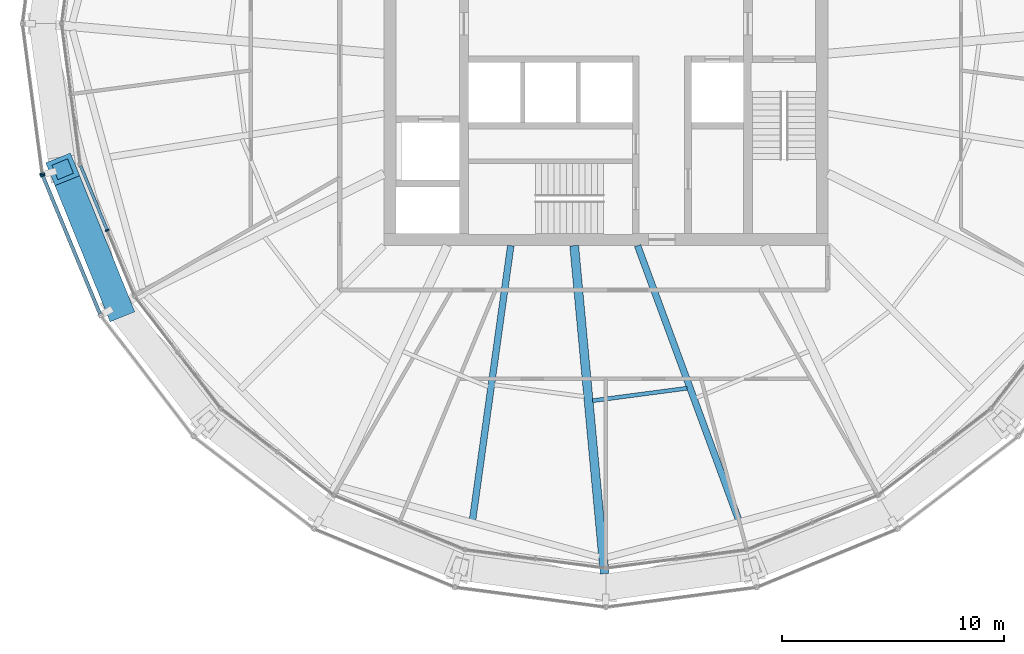
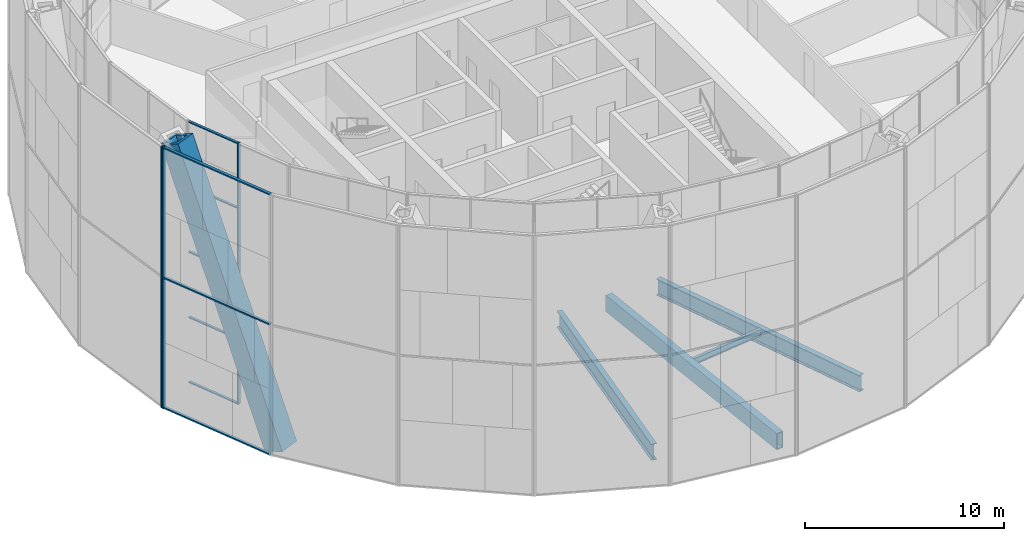
# One storey, part 3 of 29: 12 members, 4 beams, 3 elements without a shape of their own.
"""IFC4 building model written with IfcOpenShell, lengths in metres."""

from ifc_helpers import new_model, si_unit, direction, frame, origin, origin_2d, place, context, subcontext, project, spatial, rectangle, hollow_rectangle, i_section, extrude, material, material_profile, profile_set, type_object, element, aggregate, save


model = new_model("IFC4")

# Units and contexts
model_context = context("Model", 3, precision=1e-05, world=origin(), true_north=direction((0.0, 1.0)))
body_context = subcontext(model_context, "Body", "Model", "MODEL_VIEW")
ifc_project = project(units=[si_unit("LENGTHUNIT", "METRE"), si_unit("AREAUNIT", "SQUARE_METRE"), si_unit("VOLUMEUNIT", "CUBIC_METRE"), si_unit("PLANEANGLEUNIT", "RADIAN"), si_unit("MASSUNIT", "GRAM", prefix="KILO")], contexts=[model_context])

# Site, building, storey
site_placement = place(None, origin())
site = spatial("IfcSite", under=ifc_project, at=site_placement, CompositionType="ELEMENT")
building_placement = place(site_placement, origin())
building = spatial("IfcBuilding", under=site, at=building_placement, Name="Golbaran Civic Tower", CompositionType="ELEMENT")
storey_placement = place(building_placement, frame((0.0, 0.0, 118.0)))
storey = spatial("IfcBuildingStorey", under=building, at=storey_placement, Name="L28", CompositionType="ELEMENT", Elevation=118.0)

# Member
ifc_material_1 = material(Name="Steel S355", Category="steel")
ifc_material_profile_1 = material_profile(ifc_material_1, hollow_rectangle(XDim=1.199951171875, YDim=1.199951171875, WallThickness=0.219970703125, at=origin_2d()), Name="BOX 1200x1200x220")
ifc_profile_set_1 = profile_set([ifc_material_profile_1], Name="Steel S355")
member_type_1 = type_object("IfcMemberType", Name="DIAGRID DIAGONAL BOX 1200x1200x220", PredefinedType="BRACE", material=ifc_profile_set_1)
member_1_placement = place(storey_placement, frame((-21.990966796875, -12.696533203125, -0.7099609375), z_axis=(-0.143541229562, 0.3544612565, 0.92398762603), x_axis=(-0.926884217271, -0.375347369478, 0.0)))
element("IfcMember", 1, at=member_1_placement, inside=storey, type_object=member_type_1, Name="Diagonal D06-07L L28-L32", PredefinedType="BRACE", context=body_context, shape_type="SweptSolid", body=[
    extrude(hollow_rectangle(XDim=1.199951171875, YDim=1.199951171875, WallThickness=0.219970703125, at=origin_2d()), origin(), (0.0, 0.0, 1.0), 17.316162109375),
])

# Beam
ifc_material_profile_2 = material_profile(ifc_material_1, i_section(OverallWidth=0.179931640625, OverallDepth=0.39990234375, WebThickness=0.008544921875, FlangeThickness=0.013427734375, FilletRadius=0.02099609375, at=origin_2d()), Name="IPE 400")
ifc_profile_set_2 = profile_set([ifc_material_profile_2], Name="Steel S355")
beam_type_1 = type_object("IfcBeamType", Name="FLOOR INFILL BEAM IPE 400", PredefinedType="BEAM", material=ifc_profile_set_2)
beam_1_placement = place(storey_placement, frame((-0.599365234375, -16.98779296875, -0.39990234375), z_axis=(0.991450424736, 0.130483927329, 0.0), x_axis=(-0.130483927329, 0.991450424736, 0.0)))
element("IfcBeam", 2, at=beam_1_placement, inside=storey, type_object=beam_type_1, Name="Infill beam 277.50 L28", PredefinedType="BEAM", context=body_context, shape_type="SweptSolid", body=[
    extrude(i_section(OverallWidth=0.179931640625, OverallDepth=0.39990234375, WebThickness=0.008544921875, FlangeThickness=0.013427734375, FilletRadius=0.02099609375, at=origin_2d()), origin(), (0.0, 0.0, 1.0), 4.2939453125),
])

# Curtain wall, members
ifc_material_2 = material(Name="Aluminium and glass", Category="aluminium")
curtain_wall_type_1 = type_object("IfcCurtainWallType", Name="INNER SKIN CURTAIN WALL", PredefinedType="NOTDEFINED", material=ifc_material_2)
curtain_wall_1_placement = place(storey_placement, origin())
curtain_wall_1 = element("IfcCurtainWall", 3, at=curtain_wall_1_placement, inside=storey, type_object=curtain_wall_type_1, Name="Inner skin L28 facet 14 CW1", ObjectType="INNER SKIN", PredefinedType="USERDEFINED")
ifc_material_3 = material(Name="Aluminium", Category="aluminium")
ifc_material_profile_3 = material_profile(ifc_material_3, rectangle(XDim=0.179931640625, YDim=0.06494140625, at=origin_2d()), Name="INNER SKIN CURTAIN WALL MULLION")
ifc_profile_set_3 = profile_set([ifc_material_profile_3], Name="Aluminium")
member_type_2 = type_object("IfcMemberType", Name="INNER SKIN CURTAIN WALL MULLION", PredefinedType="MULLION", material=ifc_profile_set_3)
member_2_placement = place(storey_placement, frame((-22.47265625, -9.308349609375, 0.0), z_axis=(0.0, 0.0, 1.0), x_axis=(0.923879532485, 0.38268343243, 0.0)))
member_2 = element("IfcMember", 4, at=member_2_placement, type_object=member_type_2, Name="CW1 mullion 2", PredefinedType="MULLION", context=body_context, shape_type="SweptSolid", body=[
    extrude(rectangle(XDim=0.179931640625, YDim=0.06494140625, at=origin_2d()), origin(), (0.0, 0.0, 1.0), 16.0),
])
ifc_material_profile_4 = material_profile(ifc_material_3, rectangle(XDim=0.139892578125, YDim=0.06494140625, at=origin_2d()), Name="INNER SKIN CURTAIN WALL TRANSOM")
ifc_profile_set_4 = profile_set([ifc_material_profile_4], Name="Aluminium")
member_type_3 = type_object("IfcMemberType", Name="INNER SKIN CURTAIN WALL TRANSOM", PredefinedType="USERDEFINED", material=ifc_profile_set_4)
member_3_placement = place(storey_placement, frame((-23.673095703125, -6.409912109375, 0.032470703125), z_axis=(0.382710605355, -0.923868276622, 0.0), x_axis=(0.923868276622, 0.382710605355, 0.0)))
member_3 = element("IfcMember", 5, at=member_3_placement, type_object=member_type_3, Name="CW1 transom 1.1", ObjectType="TRANSOM", PredefinedType="USERDEFINED", context=body_context, shape_type="SweptSolid", body=[
    extrude(rectangle(XDim=0.139892578125, YDim=0.06494140625, at=origin_2d()), origin(), (0.0, 0.0, 1.0), 3.104736328125),
])
member_4_placement = place(storey_placement, frame((-23.673095703125, -6.409912109375, 4.0), z_axis=(0.382710605355, -0.923868276622, 0.0), x_axis=(0.923868276622, 0.382710605355, 0.0)))
member_4 = element("IfcMember", 6, at=member_4_placement, type_object=member_type_3, Name="CW1 transom 1.2", ObjectType="TRANSOM", PredefinedType="USERDEFINED", context=body_context, shape_type="SweptSolid", body=[
    extrude(rectangle(XDim=0.139892578125, YDim=0.06494140625, at=origin_2d()), origin(), (0.0, 0.0, 1.0), 3.104736328125),
])
member_5_placement = place(storey_placement, frame((-23.673095703125, -6.409912109375, 8.0), z_axis=(0.382710605355, -0.923868276622, 0.0), x_axis=(0.923868276622, 0.382710605355, 0.0)))
member_5 = element("IfcMember", 7, at=member_5_placement, type_object=member_type_3, Name="CW1 transom 1.3", ObjectType="TRANSOM", PredefinedType="USERDEFINED", context=body_context, shape_type="SweptSolid", body=[
    extrude(rectangle(XDim=0.139892578125, YDim=0.06494140625, at=origin_2d()), origin(), (0.0, 0.0, 1.0), 3.104736328125),
])
member_6_placement = place(storey_placement, frame((-23.673095703125, -6.409912109375, 12.0), z_axis=(0.382710605355, -0.923868276622, 0.0), x_axis=(0.923868276622, 0.382710605355, 0.0)))
member_6 = element("IfcMember", 8, at=member_6_placement, type_object=member_type_3, Name="CW1 transom 1.4", ObjectType="TRANSOM", PredefinedType="USERDEFINED", context=body_context, shape_type="SweptSolid", body=[
    extrude(rectangle(XDim=0.139892578125, YDim=0.06494140625, at=origin_2d()), origin(), (0.0, 0.0, 1.0), 3.104736328125),
])
member_7_placement = place(storey_placement, frame((-23.673095703125, -6.409912109375, 15.967529296875), z_axis=(0.382710605355, -0.923868276622, 0.0), x_axis=(0.923868276622, 0.382710605355, 0.0)))
member_7 = element("IfcMember", 9, at=member_7_placement, type_object=member_type_3, Name="CW1 transom 1.5", ObjectType="TRANSOM", PredefinedType="USERDEFINED", context=body_context, shape_type="SweptSolid", body=[
    extrude(rectangle(XDim=0.139892578125, YDim=0.06494140625, at=origin_2d()), origin(), (0.0, 0.0, 1.0), 3.104736328125),
])
aggregate(curtain_wall_1, [member_2, member_3, member_4, member_5, member_6, member_7])

# Curtain wall, member
curtain_wall_type_2 = type_object("IfcCurtainWallType", Name="OUTER SKIN TERRACOTTA SCREEN", PredefinedType="NOTDEFINED", material=ifc_material_2)
curtain_wall_2_placement = place(storey_placement, origin())
curtain_wall_2 = element("IfcCurtainWall", 10, at=curtain_wall_2_placement, inside=storey, type_object=curtain_wall_type_2, Name="Outer skin L28 facet 13 CW3", ObjectType="OUTER SKIN", PredefinedType="USERDEFINED")
ifc_material_profile_5 = material_profile(ifc_material_3, rectangle(XDim=0.219970703125, YDim=0.080078125, at=origin_2d()), Name="OUTER SKIN TERRACOTTA SCREEN MULLION")
ifc_profile_set_5 = profile_set([ifc_material_profile_5], Name="Aluminium")
member_type_4 = type_object("IfcMemberType", Name="OUTER SKIN TERRACOTTA SCREEN MULLION", PredefinedType="MULLION", material=ifc_profile_set_5)
member_8_placement = place(storey_placement, frame((-25.40234375, -6.765380859375, -0.7099609375), z_axis=(0.0, 0.0, 1.0), x_axis=(0.991444861381, 0.130526192168, 0.0)))
member_8 = element("IfcMember", 11, at=member_8_placement, type_object=member_type_4, Name="CW3 mullion 2", PredefinedType="MULLION", context=body_context, shape_type="SweptSolid", body=[
    extrude(rectangle(XDim=0.219970703125, YDim=0.080078125, at=origin_2d()), origin(), (0.0, 0.0, 1.0), 16.0),
])
aggregate(curtain_wall_2, [member_8])

# Curtain wall, members
curtain_wall_3_placement = place(storey_placement, origin())
curtain_wall_3 = element("IfcCurtainWall", 12, at=curtain_wall_3_placement, inside=storey, type_object=curtain_wall_type_2, Name="Outer skin L28 facet 14 CW3", ObjectType="OUTER SKIN", PredefinedType="USERDEFINED")
member_9_placement = place(storey_placement, frame((-25.3818359375, -6.842041015625, -0.7099609375), z_axis=(0.0, 0.0, 1.0), x_axis=(0.923879532505, 0.382683432381, 0.0)))
member_9 = element("IfcMember", 13, at=member_9_placement, type_object=member_type_4, Name="CW3 mullion 1", PredefinedType="MULLION", context=body_context, shape_type="SweptSolid", body=[
    extrude(rectangle(XDim=0.219970703125, YDim=0.080078125, at=origin_2d()), origin(), (0.0, 0.0, 1.0), 16.0),
])
ifc_material_profile_6 = material_profile(ifc_material_3, rectangle(XDim=0.159912109375, YDim=0.080078125, at=origin_2d()), Name="OUTER SKIN TERRACOTTA SCREEN TRANSOM")
ifc_profile_set_6 = profile_set([ifc_material_profile_6], Name="Aluminium")
member_type_5 = type_object("IfcMemberType", Name="OUTER SKIN TERRACOTTA SCREEN TRANSOM", PredefinedType="USERDEFINED", material=ifc_profile_set_6)
member_10_placement = place(storey_placement, frame((-25.366455078125, -6.879150390625, -0.669921875), z_axis=(0.382690592899, -0.923876566489, 0.0), x_axis=(0.923876566489, 0.382690592899, 0.0)))
member_10 = element("IfcMember", 14, at=member_10_placement, type_object=member_type_5, Name="CW3 transom 1.1", ObjectType="TRANSOM", PredefinedType="USERDEFINED", context=body_context, shape_type="SweptSolid", body=[
    extrude(rectangle(XDim=0.159912109375, YDim=0.080078125, at=origin_2d()), origin(), (0.0, 0.0, 1.0), 6.70361328125),
])
member_11_placement = place(storey_placement, frame((-25.366455078125, -6.879150390625, 7.2900390625), z_axis=(0.382690592899, -0.923876566489, 0.0), x_axis=(0.923876566489, 0.382690592899, 0.0)))
member_11 = element("IfcMember", 15, at=member_11_placement, type_object=member_type_5, Name="CW3 transom 1.2", ObjectType="TRANSOM", PredefinedType="USERDEFINED", context=body_context, shape_type="SweptSolid", body=[
    extrude(rectangle(XDim=0.159912109375, YDim=0.080078125, at=origin_2d()), origin(), (0.0, 0.0, 1.0), 6.70361328125),
])
member_12_placement = place(storey_placement, frame((-25.366455078125, -6.879150390625, 15.25), z_axis=(0.382690592899, -0.923876566489, 0.0), x_axis=(0.923876566489, 0.382690592899, 0.0)))
member_12 = element("IfcMember", 16, at=member_12_placement, type_object=member_type_5, Name="CW3 transom 1.3", ObjectType="TRANSOM", PredefinedType="USERDEFINED", context=body_context, shape_type="SweptSolid", body=[
    extrude(rectangle(XDim=0.159912109375, YDim=0.080078125, at=origin_2d()), origin(), (0.0, 0.0, 1.0), 6.70361328125),
])
aggregate(curtain_wall_3, [member_9, member_10, member_11, member_12])

# Beams
ifc_material_profile_7 = material_profile(ifc_material_1, hollow_rectangle(XDim=0.39990234375, YDim=1.0, WallThickness=0.0400390625, at=origin_2d()), Name="BOX 1000x400x40")
ifc_profile_set_7 = profile_set([ifc_material_profile_7], Name="Steel S355")
beam_type_2 = type_object("IfcBeamType", Name="RADIAL FLOOR BEAM BOX 1000x400x40", PredefinedType="BEAM", material=ifc_profile_set_7)
beam_2_placement = place(storey_placement, frame((-1.428466796875, -10.0, -0.7099609375), z_axis=(0.092407200166, -0.995721301046, 0.0), x_axis=(0.995721301046, 0.092407200166, 0.0)))
element("IfcBeam", 17, at=beam_2_placement, inside=storey, type_object=beam_type_2, Name="Radial beam 270.00 L28", PredefinedType="BEAM", context=body_context, shape_type="SweptSolid", body=[
    extrude(hollow_rectangle(XDim=0.39990234375, YDim=1.0, WallThickness=0.0400390625, at=origin_2d()), origin(), (0.0, 0.0, 1.0), 14.8427734375),
])
ifc_material_profile_8 = material_profile(ifc_material_1, i_section(OverallWidth=0.300048828125, OverallDepth=1.0, WebThickness=0.01904296875, FlangeThickness=0.035888671875, FilletRadius=0.030029296875, at=origin_2d()), Name="HEB 1000")
ifc_profile_set_8 = profile_set([ifc_material_profile_8], Name="Steel S355")
beam_type_3 = type_object("IfcBeamType", Name="SECONDARY FLOOR BEAM HEB 1000", PredefinedType="BEAM", material=ifc_profile_set_8)
beam_3_placement = place(storey_placement, frame((-4.28564453125, -10.0, -0.7099609375), z_axis=(-0.137926870673, -0.990442415462, 0.0), x_axis=(0.990442415462, -0.137926870673, 0.0)))
element("IfcBeam", 18, at=beam_3_placement, inside=storey, type_object=beam_type_3, Name="Secondary beam 255.00 L28", PredefinedType="BEAM", context=body_context, shape_type="SweptSolid", body=[
    extrude(i_section(OverallWidth=0.300048828125, OverallDepth=1.0, WebThickness=0.01904296875, FlangeThickness=0.035888671875, FilletRadius=0.030029296875, at=origin_2d()), origin(), (0.0, 0.0, 1.0), 12.60107421875),
])
beam_4_placement = place(storey_placement, frame((1.428466796875, -10.0, -0.7099609375), z_axis=(0.345705358827, -0.938343116817, 0.0), x_axis=(0.938343116817, 0.345705358827, 0.0)))
element("IfcBeam", 19, at=beam_4_placement, inside=storey, type_object=beam_type_3, Name="Secondary beam 285.00 L28", PredefinedType="BEAM", context=body_context, shape_type="SweptSolid", body=[
    extrude(i_section(OverallWidth=0.300048828125, OverallDepth=1.0, WebThickness=0.01904296875, FlangeThickness=0.035888671875, FilletRadius=0.030029296875, at=origin_2d()), origin(), (0.0, 0.0, 1.0), 13.268310546875),
])

save(model, "model.ifc")
